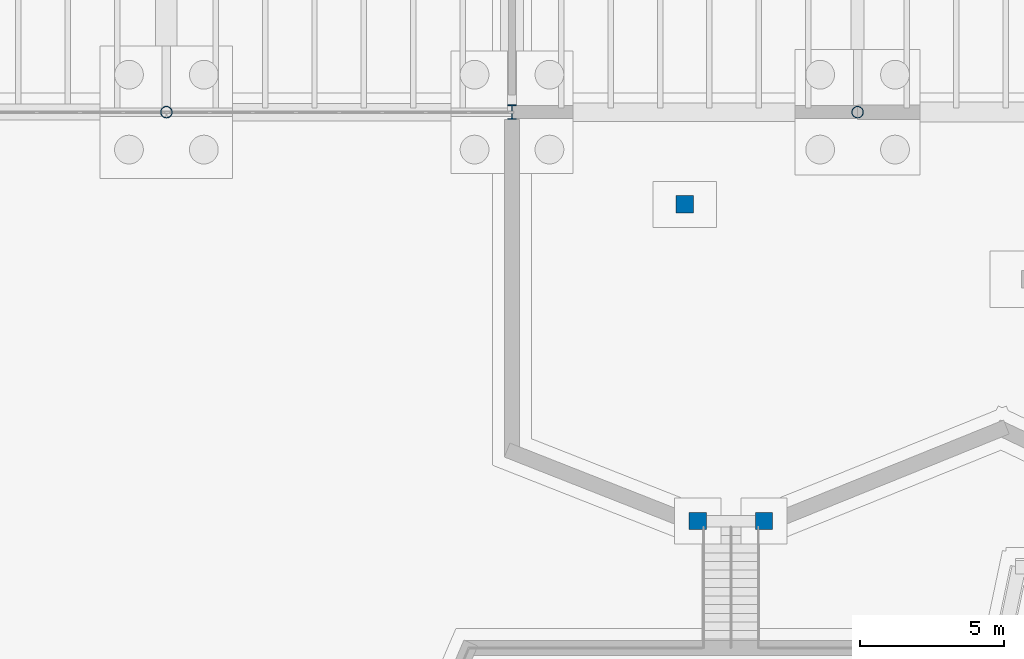
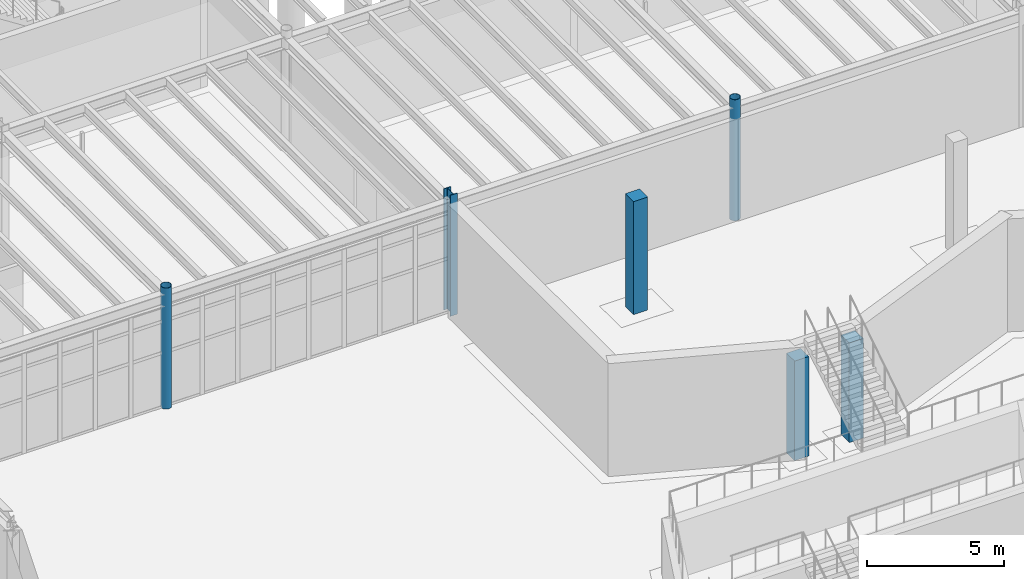
# One storey, part 13 of 67: 6 columns.
"""IFC4 building model written with IfcOpenShell, lengths in metres."""

import ifcopenshell
import ifcopenshell.guid

model = None  # the IFC model being written
_history = None  # IfcOwnerHistory: only IFC2X3 demands one
_inside = {}  # id of a spatial element -> (the spatial element, [elements in it])
_under = {}  # id of a project, library or spatial element -> (it, [spatial elements below it])
_declared = {}  # id of a project -> (the project, [libraries it declares])
_typed = {}  # id of a type object -> (the type object, [elements of that type])
_made_of = {}  # id of a material, layer set ... -> (it, [elements and type objects made of it])


def new_model(schema):
    """Start an empty IFC model of exactly this schema.

    Asked for "IFC4X3", IfcOpenShell would pick the latest addendum, in which some entities
    have other attributes; the version numbers below select the first issue.
    IFC2X3 requires an IfcOwnerHistory on every rooted entity: one is made here for all.
    """
    global model, _history
    if schema == "IFC4X3":
        model = ifcopenshell.file(schema_version=(4, 3, 0, 0))
    else:
        model = ifcopenshell.file(schema=schema)
    _inside.clear()
    _under.clear()
    _declared.clear()
    _typed.clear()
    _made_of.clear()
    _history = None
    if model.schema == "IFC2X3":
        org = make("IfcOrganization", Name="unknown")
        user = make(
            "IfcPersonAndOrganization",
            ThePerson=make("IfcPerson", FamilyName="unknown"),
            TheOrganization=org,
        )
        app = make(
            "IfcApplication",
            ApplicationDeveloper=org,
            Version="unknown",
            ApplicationFullName="unknown",
            ApplicationIdentifier="unknown",
        )
        _history = make(
            "IfcOwnerHistory",
            OwningUser=user,
            OwningApplication=app,
            ChangeAction="ADDED",
            CreationDate=0,
        )
    return model


def make(cls, **values):
    """One entity of the class cls with the attributes given. An attribute that is None is left unset."""
    return model.create_entity(
        cls, **{name: value for name, value in values.items() if value is not None}
    )


def rooted(cls, **values):
    """An entity with a GlobalId (a new one), such as an element, a storey or a relation."""
    return make(cls, GlobalId=ifcopenshell.guid.new(), OwnerHistory=_history, **values)


def si_unit(unit_type, name, prefix=None):
    """IfcSIUnit, for example si_unit("LENGTHUNIT", "METRE", prefix="MILLI")."""
    return make("IfcSIUnit", UnitType=unit_type, Prefix=prefix, Name=name)


def assignment(units):
    """IfcUnitAssignment: the units of a project."""
    return None if units is None else make("IfcUnitAssignment", Units=units)


def point(xyz):
    """IfcCartesianPoint."""
    return None if xyz is None else make("IfcCartesianPoint", Coordinates=xyz)


def direction(xyz):
    """IfcDirection."""
    return None if xyz is None else make("IfcDirection", DirectionRatios=xyz)


def frame(location, z_axis=None, x_axis=None):
    """IfcAxis2Placement3D, a coordinate frame: its origin and axes. An axis left out is left unset."""
    return make(
        "IfcAxis2Placement3D",
        Location=point(location),
        Axis=direction(z_axis),
        RefDirection=direction(x_axis),
    )


def frame_2d(location, x_axis=None):
    """IfcAxis2Placement2D, a coordinate frame in the plane: its origin and x axis."""
    return make(
        "IfcAxis2Placement2D", Location=point(location), RefDirection=direction(x_axis)
    )


def origin():
    """The frame at (0, 0, 0) with its axes left unset."""
    return frame((0.0, 0.0, 0.0))


def origin_2d():
    """The frame at (0, 0) in the plane with its x axis left unset."""
    return frame_2d((0.0, 0.0))


def place(relative_to, where):
    """IfcLocalPlacement: puts the frame where relative to a parent placement (None: the world)."""
    return make(
        "IfcLocalPlacement", PlacementRelTo=relative_to, RelativePlacement=where
    )


def context(
    kind, dimensions, precision=None, world=None, true_north=None, identifier=None
):
    """IfcGeometricRepresentationContext, for example the 3D "Model" context."""
    return make(
        "IfcGeometricRepresentationContext",
        ContextIdentifier=identifier,
        ContextType=kind,
        CoordinateSpaceDimension=dimensions,
        Precision=precision,
        WorldCoordinateSystem=world,
        TrueNorth=true_north,
    )


def subcontext(parent, identifier, kind, view, scale=None):
    """IfcGeometricRepresentationSubContext, for example "Body" below "Model"."""
    return make(
        "IfcGeometricRepresentationSubContext",
        ContextIdentifier=identifier,
        ContextType=kind,
        ParentContext=parent,
        TargetScale=scale,
        TargetView=view,
    )


def project(units=None, contexts=None):
    """IfcProject with its units and contexts."""
    return rooted(
        "IfcProject",
        Name="project",
        RepresentationContexts=contexts,
        UnitsInContext=assignment(units),
    )


def spatial(cls, under=None, at=None, **own):
    """A site, building, storey or space (cls), placed at a placement, below another one or the project."""
    s = rooted(cls, ObjectPlacement=at, **own)
    if under is not None:
        _under.setdefault(under.id(), (under, []))[1].append(s)
    return s


def profile(cls, at=None, kind="AREA", **sizes):
    """A parametric profile (cls). Its sizes go by their IFC names, for example OverallWidth=200.0."""
    return make(cls, ProfileType=kind, Position=at, **sizes)


def rectangle(**sizes):
    """IfcRectangleProfileDef."""
    return profile("IfcRectangleProfileDef", **sizes)


def hollow_circle(**sizes):
    """IfcCircleHollowProfileDef."""
    return profile("IfcCircleHollowProfileDef", **sizes)


def i_section(**sizes):
    """IfcIShapeProfileDef."""
    return profile("IfcIShapeProfileDef", **sizes)


def extrude(swept, where, along, depth):
    """IfcExtrudedAreaSolid: the profile swept, set in the frame where, extruded along a direction by depth."""
    return make(
        "IfcExtrudedAreaSolid",
        SweptArea=swept,
        Position=where,
        ExtrudedDirection=direction(along),
        Depth=depth,
    )


def shape(context_of_items, identifier, shape_type, items):
    """IfcShapeRepresentation: the items that make up one representation, for example the "Body"."""
    return make(
        "IfcShapeRepresentation",
        ContextOfItems=context_of_items,
        RepresentationIdentifier=identifier,
        RepresentationType=shape_type,
        Items=items,
    )


def material(Name=None, Category=None):
    """IfcMaterial."""
    return make("IfcMaterial", Name=Name, Category=Category)


def material_profile(
    of_material, cross_section, Name=None, Category=None, Priority=None
):
    """IfcMaterialProfile: a cross section and its material."""
    return make(
        "IfcMaterialProfile",
        Name=Name,
        Material=of_material,
        Profile=cross_section,
        Priority=Priority,
        Category=Category,
    )


def profile_set(profiles, Name=None, composite=None):
    """IfcMaterialProfileSet."""
    return make(
        "IfcMaterialProfileSet",
        Name=Name,
        MaterialProfiles=profiles,
        CompositeProfile=composite,
    )


def made_of(thing, what):
    """Note that an element or type object is made of a material, layer set ...; save() writes the relation."""
    if what is not None:
        _made_of.setdefault(what.id(), (what, []))[1].append(thing)
    return thing


def type_object(cls, material=None, **own):
    """A type object (cls), such as IfcWallType, which elements share."""
    return made_of(rooted(cls, **own), material)


def element(
    cls,
    number,
    at=None,
    inside=None,
    cuts=None,
    type_object=None,
    material=None,
    context=None,
    identifier="Body",
    shape_type=None,
    held_by="IfcProductDefinitionShape",
    body=None,
    shapes=None,
    **own,
):
    """One element of the class cls, such as IfcWall. Its Tag is "e" and its number.

    at: its placement. inside: the storey or other place that contains it. cuts: it is an
    opening in that element (IfcRelVoidsElement). A single representation is given by context,
    identifier, shape_type and body (its items); several are given by shapes. held_by: the class
    of the entity that holds the representations. save() writes the other relations.
    """
    e = rooted(cls, Tag="e%d" % number, ObjectPlacement=at, **own)
    if body is not None:
        shapes = [shape(context, identifier, shape_type, body)]
    if shapes is not None:
        e.Representation = make(held_by, Representations=shapes)
    if inside is not None:
        _inside.setdefault(inside.id(), (inside, []))[1].append(e)
    if cuts is not None:
        rooted(
            "IfcRelVoidsElement", RelatingBuildingElement=cuts, RelatedOpeningElement=e
        )
    if type_object is not None:
        _typed.setdefault(type_object.id(), (type_object, []))[1].append(e)
    return made_of(e, material)


def aggregate(whole, parts):
    """IfcRelAggregates: a whole, such as a stair, and the parts it consists of."""
    return rooted("IfcRelAggregates", RelatingObject=whole, RelatedObjects=parts)


def save(model, path):
    """Write the relations noted so far, then the file.

    IfcRelAggregates (storeys below a building ...), IfcRelContainedInSpatialStructure (elements
    in a storey), IfcRelDefinesByType, IfcRelAssociatesMaterial and IfcRelDeclares: one each for
    every whole, place, type object, material and project.
    """
    for whole, parts in _under.values():
        aggregate(whole, parts)
    for where, things in _inside.values():
        rooted(
            "IfcRelContainedInSpatialStructure",
            RelatedElements=things,
            RelatingStructure=where,
        )
    for kind, things in _typed.values():
        rooted("IfcRelDefinesByType", RelatedObjects=things, RelatingType=kind)
    for what, things in _made_of.values():
        rooted("IfcRelAssociatesMaterial", RelatedObjects=things, RelatingMaterial=what)
    for by, libraries in _declared.values():
        rooted("IfcRelDeclares", RelatingContext=by, RelatedDefinitions=libraries)
    model.write(path)


model = new_model("IFC4")

# Units and contexts
model_context = context("Model", 3, precision=1e-05, world=origin(), true_north=direction((0.0, 1.0)))
body_context = subcontext(model_context, "Body", "Model", "MODEL_VIEW")
ifc_project = project(units=[si_unit("LENGTHUNIT", "METRE"), si_unit("AREAUNIT", "SQUARE_METRE"), si_unit("VOLUMEUNIT", "CUBIC_METRE"), si_unit("PLANEANGLEUNIT", "RADIAN"), si_unit("MASSUNIT", "GRAM", prefix="KILO")], contexts=[model_context])

# Site, building, storey
site_placement = place(None, origin())
site = spatial("IfcSite", under=ifc_project, at=site_placement, CompositionType="ELEMENT")
building_placement = place(site_placement, origin())
building = spatial("IfcBuilding", under=site, at=building_placement, Name="Zlatogorsky Bluff Art Gallery", CompositionType="ELEMENT")
storey_placement = place(building_placement, frame((0.0, 0.0, -5.39990234375)))
storey = spatial("IfcBuildingStorey", under=building, at=storey_placement, Name="B1", CompositionType="ELEMENT", Elevation=-5.39990234375)

# Columns
ifc_material_1 = material(Name="Steel S355", Category="steel")
ifc_material_profile_1 = material_profile(ifc_material_1, i_section(OverallWidth=0.300048828125, OverallDepth=0.5, WebThickness=0.014404296875, FlangeThickness=0.028076171875, FilletRadius=0.027099609375, at=origin_2d()), Name="HEB 500")
ifc_profile_set_1 = profile_set([ifc_material_profile_1], Name="Steel S355")
column_type_1 = type_object("IfcColumnType", Name="Column CL-02 HEB 500", PredefinedType="COLUMN", material=ifc_profile_set_1)
column_1_placement = place(storey_placement, frame((48.0, 84.0, 0.0), z_axis=(0.0, 0.0, 1.0), x_axis=(1.0, 0.0, 0.0)))
element("IfcColumn", 1, at=column_1_placement, inside=storey, type_object=column_type_1, Name="Column CL-02 B1 E9", PredefinedType="COLUMN", context=body_context, shape_type="SweptSolid", body=[
    extrude(i_section(OverallWidth=0.300048828125, OverallDepth=0.5, WebThickness=0.014404296875, FlangeThickness=0.028076171875, FilletRadius=0.027099609375, at=origin_2d()), origin(), (0.0, 0.0, 1.0), 5.39990234375),
])
ifc_material_profile_2 = material_profile(ifc_material_1, hollow_circle(Radius=0.203125, WallThickness=0.01611328125, at=origin_2d()), Name="CHS 406.4x16")
ifc_profile_set_2 = profile_set([ifc_material_profile_2], Name="Steel S355")
column_type_2 = type_object("IfcColumnType", Name="Column CL-09 CHS 406.4x16", PredefinedType="COLUMN", material=ifc_profile_set_2)
for number, where, z_axis, x_axis, name in (
    (2, (36.0, 84.0, 0.0), (0.0, 0.0, 1.0), (1.0, 0.0, 0.0), "Column CL-09 B1 D9"),
    (3, (60.0, 84.0, 0.0), (0.0, 0.0, 1.0), (1.0, 0.0, 0.0), "Column CL-09 B1 F9"),
):
    element("IfcColumn", number, at=place(storey_placement, frame(where, z_axis=z_axis, x_axis=x_axis)), inside=storey, type_object=column_type_2, Name=name, PredefinedType="COLUMN", context=body_context, shape_type="SweptSolid", body=[
        extrude(hollow_circle(Radius=0.203125, WallThickness=0.01611328125, at=origin_2d()), origin(), (0.0, 0.0, 1.0), 5.39990234375),
    ])
ifc_material_2 = material(Name="Concrete C35/45", Category="concrete")
ifc_material_profile_3 = material_profile(ifc_material_2, rectangle(XDim=0.60009765625, YDim=0.60009765625, at=origin_2d()), Name="RC 600x600")
ifc_profile_set_3 = profile_set([ifc_material_profile_3], Name="Concrete C35/45")
column_type_3 = type_object("IfcColumnType", Name="Column CL-15 RC 600x600", PredefinedType="COLUMN", material=ifc_profile_set_3)
column_2_placement = place(storey_placement, frame((54.0, 80.800048828125, 0.0), z_axis=(0.0, 0.0, 1.0), x_axis=(1.0, 0.0, 0.0)))
element("IfcColumn", 4, at=column_2_placement, inside=storey, type_object=column_type_3, Name="Concourse rim terrace substructure pier 4", PredefinedType="COLUMN", context=body_context, shape_type="SweptSolid", body=[
    extrude(rectangle(XDim=0.60009765625, YDim=0.60009765625, at=origin_2d()), origin(), (0.0, 0.0, 1.0), 5.039794921875),
])
for number, where, z_axis, x_axis, name in (
    (5, (54.449951171875, 69.800048828125, 0.0), (0.0, 0.0, 1.0), (1.0, 0.0, 0.0), "Amphitheatre 1 upper header west pier"),
    (6, (56.75, 69.800048828125, 0.0), (0.0, 0.0, 1.0), (1.0, 0.0, 0.0), "Amphitheatre 1 upper header east pier"),
):
    element("IfcColumn", number, at=place(storey_placement, frame(where, z_axis=z_axis, x_axis=x_axis)), inside=storey, type_object=column_type_3, Name=name, PredefinedType="COLUMN", context=body_context, shape_type="SweptSolid", body=[
        extrude(rectangle(XDim=0.60009765625, YDim=0.60009765625, at=origin_2d()), origin(), (0.0, 0.0, 1.0), 4.43994140625),
    ])

save(model, "model.ifc")
